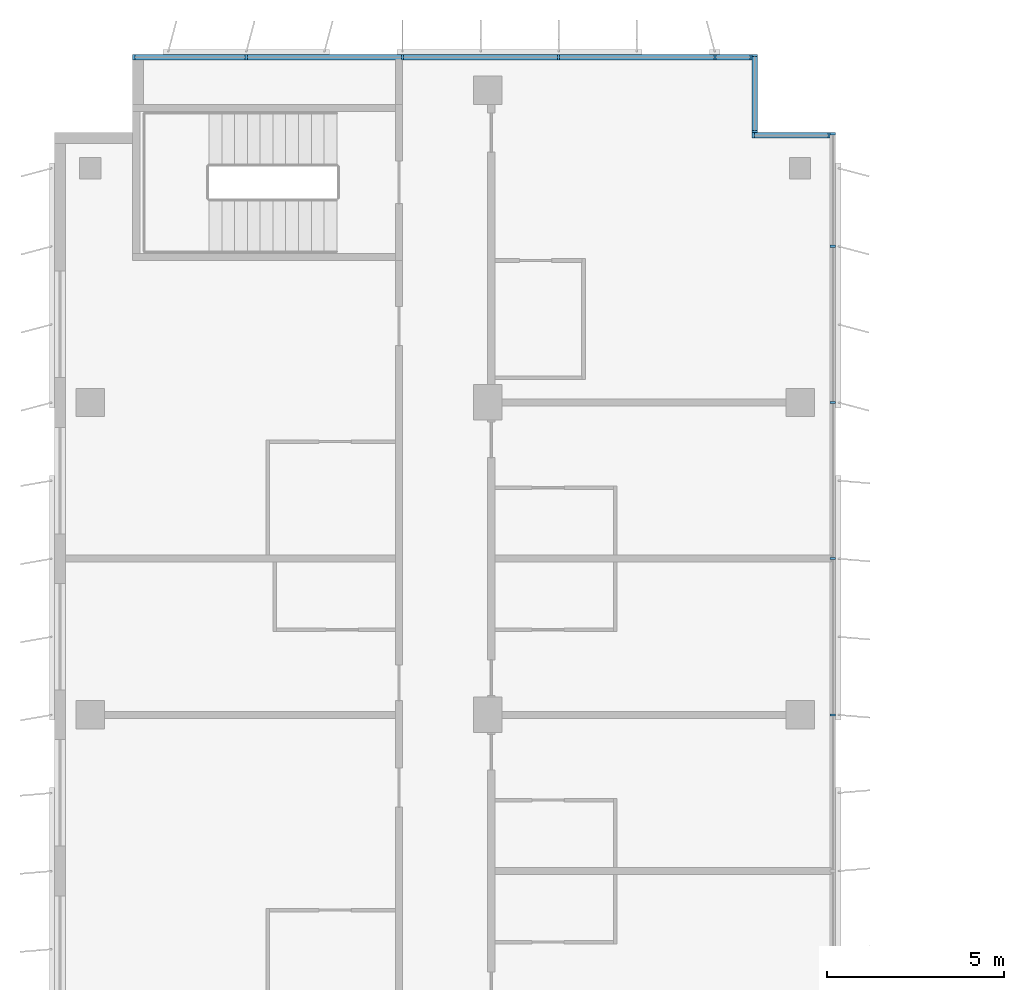
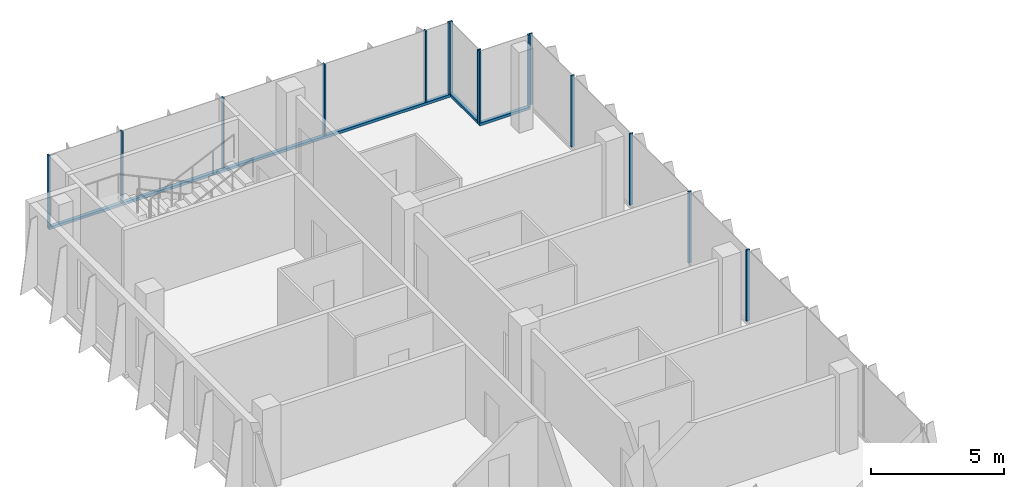
# One storey, part 6 of 17: 18 members, 4 elements without a shape of their own.
"""IFC4 building model written with IfcOpenShell, lengths in metres."""

import ifcopenshell
import ifcopenshell.guid

model = None  # the IFC model being written
_history = None  # IfcOwnerHistory: only IFC2X3 demands one
_inside = {}  # id of a spatial element -> (the spatial element, [elements in it])
_under = {}  # id of a project, library or spatial element -> (it, [spatial elements below it])
_declared = {}  # id of a project -> (the project, [libraries it declares])
_typed = {}  # id of a type object -> (the type object, [elements of that type])
_made_of = {}  # id of a material, layer set ... -> (it, [elements and type objects made of it])


def new_model(schema):
    """Start an empty IFC model of exactly this schema.

    Asked for "IFC4X3", IfcOpenShell would pick the latest addendum, in which some entities
    have other attributes; the version numbers below select the first issue.
    IFC2X3 requires an IfcOwnerHistory on every rooted entity: one is made here for all.
    """
    global model, _history
    if schema == "IFC4X3":
        model = ifcopenshell.file(schema_version=(4, 3, 0, 0))
    else:
        model = ifcopenshell.file(schema=schema)
    _inside.clear()
    _under.clear()
    _declared.clear()
    _typed.clear()
    _made_of.clear()
    _history = None
    if model.schema == "IFC2X3":
        org = make("IfcOrganization", Name="unknown")
        user = make(
            "IfcPersonAndOrganization",
            ThePerson=make("IfcPerson", FamilyName="unknown"),
            TheOrganization=org,
        )
        app = make(
            "IfcApplication",
            ApplicationDeveloper=org,
            Version="unknown",
            ApplicationFullName="unknown",
            ApplicationIdentifier="unknown",
        )
        _history = make(
            "IfcOwnerHistory",
            OwningUser=user,
            OwningApplication=app,
            ChangeAction="ADDED",
            CreationDate=0,
        )
    return model


def make(cls, **values):
    """One entity of the class cls with the attributes given. An attribute that is None is left unset."""
    return model.create_entity(
        cls, **{name: value for name, value in values.items() if value is not None}
    )


def rooted(cls, **values):
    """An entity with a GlobalId (a new one), such as an element, a storey or a relation."""
    return make(cls, GlobalId=ifcopenshell.guid.new(), OwnerHistory=_history, **values)


def si_unit(unit_type, name, prefix=None):
    """IfcSIUnit, for example si_unit("LENGTHUNIT", "METRE", prefix="MILLI")."""
    return make("IfcSIUnit", UnitType=unit_type, Prefix=prefix, Name=name)


def assignment(units):
    """IfcUnitAssignment: the units of a project."""
    return None if units is None else make("IfcUnitAssignment", Units=units)


def point(xyz):
    """IfcCartesianPoint."""
    return None if xyz is None else make("IfcCartesianPoint", Coordinates=xyz)


def direction(xyz):
    """IfcDirection."""
    return None if xyz is None else make("IfcDirection", DirectionRatios=xyz)


def frame(location, z_axis=None, x_axis=None):
    """IfcAxis2Placement3D, a coordinate frame: its origin and axes. An axis left out is left unset."""
    return make(
        "IfcAxis2Placement3D",
        Location=point(location),
        Axis=direction(z_axis),
        RefDirection=direction(x_axis),
    )


def frame_2d(location, x_axis=None):
    """IfcAxis2Placement2D, a coordinate frame in the plane: its origin and x axis."""
    return make(
        "IfcAxis2Placement2D", Location=point(location), RefDirection=direction(x_axis)
    )


def origin():
    """The frame at (0, 0, 0) with its axes left unset."""
    return frame((0.0, 0.0, 0.0))


def origin_2d():
    """The frame at (0, 0) in the plane with its x axis left unset."""
    return frame_2d((0.0, 0.0))


def place(relative_to, where):
    """IfcLocalPlacement: puts the frame where relative to a parent placement (None: the world)."""
    return make(
        "IfcLocalPlacement", PlacementRelTo=relative_to, RelativePlacement=where
    )


def context(
    kind, dimensions, precision=None, world=None, true_north=None, identifier=None
):
    """IfcGeometricRepresentationContext, for example the 3D "Model" context."""
    return make(
        "IfcGeometricRepresentationContext",
        ContextIdentifier=identifier,
        ContextType=kind,
        CoordinateSpaceDimension=dimensions,
        Precision=precision,
        WorldCoordinateSystem=world,
        TrueNorth=true_north,
    )


def subcontext(parent, identifier, kind, view, scale=None):
    """IfcGeometricRepresentationSubContext, for example "Body" below "Model"."""
    return make(
        "IfcGeometricRepresentationSubContext",
        ContextIdentifier=identifier,
        ContextType=kind,
        ParentContext=parent,
        TargetScale=scale,
        TargetView=view,
    )


def project(units=None, contexts=None):
    """IfcProject with its units and contexts."""
    return rooted(
        "IfcProject",
        Name="project",
        RepresentationContexts=contexts,
        UnitsInContext=assignment(units),
    )


def spatial(cls, under=None, at=None, **own):
    """A site, building, storey or space (cls), placed at a placement, below another one or the project."""
    s = rooted(cls, ObjectPlacement=at, **own)
    if under is not None:
        _under.setdefault(under.id(), (under, []))[1].append(s)
    return s


def profile(cls, at=None, kind="AREA", **sizes):
    """A parametric profile (cls). Its sizes go by their IFC names, for example OverallWidth=200.0."""
    return make(cls, ProfileType=kind, Position=at, **sizes)


def rectangle(**sizes):
    """IfcRectangleProfileDef."""
    return profile("IfcRectangleProfileDef", **sizes)


def extrude(swept, where, along, depth):
    """IfcExtrudedAreaSolid: the profile swept, set in the frame where, extruded along a direction by depth."""
    return make(
        "IfcExtrudedAreaSolid",
        SweptArea=swept,
        Position=where,
        ExtrudedDirection=direction(along),
        Depth=depth,
    )


def shape(context_of_items, identifier, shape_type, items):
    """IfcShapeRepresentation: the items that make up one representation, for example the "Body"."""
    return make(
        "IfcShapeRepresentation",
        ContextOfItems=context_of_items,
        RepresentationIdentifier=identifier,
        RepresentationType=shape_type,
        Items=items,
    )


def source(mapping_origin, context_of_items, identifier, shape_type, items):
    """IfcRepresentationMap: a shape defined once, which mapped items show again and again."""
    return make(
        "IfcRepresentationMap",
        MappingOrigin=mapping_origin,
        MappedRepresentation=shape(context_of_items, identifier, shape_type, items),
    )


def transform(
    local_origin,
    x_axis=None,
    y_axis=None,
    z_axis=None,
    scale=None,
    scale2=None,
    scale3=None,
    uniform=True,
):
    """IfcCartesianTransformationOperator3D, or its non-uniform kind. x_axis, y_axis, z_axis: its Axis1, 2, 3."""
    if uniform:
        return make(
            "IfcCartesianTransformationOperator3D",
            Axis1=direction(x_axis),
            Axis2=direction(y_axis),
            LocalOrigin=point(local_origin),
            Scale=scale,
            Axis3=direction(z_axis),
        )
    return make(
        "IfcCartesianTransformationOperator3DnonUniform",
        Axis1=direction(x_axis),
        Axis2=direction(y_axis),
        LocalOrigin=point(local_origin),
        Scale=scale,
        Axis3=direction(z_axis),
        Scale2=scale2,
        Scale3=scale3,
    )


def mapped(mapping_source, mapping_target):
    """IfcMappedItem: shows the shape of a source again, moved by a transform."""
    return make(
        "IfcMappedItem", MappingSource=mapping_source, MappingTarget=mapping_target
    )


def material(Name=None, Category=None):
    """IfcMaterial."""
    return make("IfcMaterial", Name=Name, Category=Category)


def material_profile(
    of_material, cross_section, Name=None, Category=None, Priority=None
):
    """IfcMaterialProfile: a cross section and its material."""
    return make(
        "IfcMaterialProfile",
        Name=Name,
        Material=of_material,
        Profile=cross_section,
        Priority=Priority,
        Category=Category,
    )


def profile_set(profiles, Name=None, composite=None):
    """IfcMaterialProfileSet."""
    return make(
        "IfcMaterialProfileSet",
        Name=Name,
        MaterialProfiles=profiles,
        CompositeProfile=composite,
    )


def made_of(thing, what):
    """Note that an element or type object is made of a material, layer set ...; save() writes the relation."""
    if what is not None:
        _made_of.setdefault(what.id(), (what, []))[1].append(thing)
    return thing


def type_object(cls, material=None, **own):
    """A type object (cls), such as IfcWallType, which elements share."""
    return made_of(rooted(cls, **own), material)


def element(
    cls,
    number,
    at=None,
    inside=None,
    cuts=None,
    type_object=None,
    material=None,
    context=None,
    identifier="Body",
    shape_type=None,
    held_by="IfcProductDefinitionShape",
    body=None,
    shapes=None,
    **own,
):
    """One element of the class cls, such as IfcWall. Its Tag is "e" and its number.

    at: its placement. inside: the storey or other place that contains it. cuts: it is an
    opening in that element (IfcRelVoidsElement). A single representation is given by context,
    identifier, shape_type and body (its items); several are given by shapes. held_by: the class
    of the entity that holds the representations. save() writes the other relations.
    """
    e = rooted(cls, Tag="e%d" % number, ObjectPlacement=at, **own)
    if body is not None:
        shapes = [shape(context, identifier, shape_type, body)]
    if shapes is not None:
        e.Representation = make(held_by, Representations=shapes)
    if inside is not None:
        _inside.setdefault(inside.id(), (inside, []))[1].append(e)
    if cuts is not None:
        rooted(
            "IfcRelVoidsElement", RelatingBuildingElement=cuts, RelatedOpeningElement=e
        )
    if type_object is not None:
        _typed.setdefault(type_object.id(), (type_object, []))[1].append(e)
    return made_of(e, material)


def aggregate(whole, parts):
    """IfcRelAggregates: a whole, such as a stair, and the parts it consists of."""
    return rooted("IfcRelAggregates", RelatingObject=whole, RelatedObjects=parts)


def save(model, path):
    """Write the relations noted so far, then the file.

    IfcRelAggregates (storeys below a building ...), IfcRelContainedInSpatialStructure (elements
    in a storey), IfcRelDefinesByType, IfcRelAssociatesMaterial and IfcRelDeclares: one each for
    every whole, place, type object, material and project.
    """
    for whole, parts in _under.values():
        aggregate(whole, parts)
    for where, things in _inside.values():
        rooted(
            "IfcRelContainedInSpatialStructure",
            RelatedElements=things,
            RelatingStructure=where,
        )
    for kind, things in _typed.values():
        rooted("IfcRelDefinesByType", RelatedObjects=things, RelatingType=kind)
    for what, things in _made_of.values():
        rooted("IfcRelAssociatesMaterial", RelatedObjects=things, RelatingMaterial=what)
    for by, libraries in _declared.values():
        rooted("IfcRelDeclares", RelatingContext=by, RelatedDefinitions=libraries)
    model.write(path)


model = new_model("IFC4")

# Units and contexts
model_context = context("Model", 3, precision=1e-05, world=origin(), true_north=direction((0.0, 1.0)))
body_context = subcontext(model_context, "Body", "Model", "MODEL_VIEW")
ifc_project = project(units=[si_unit("LENGTHUNIT", "METRE"), si_unit("AREAUNIT", "SQUARE_METRE"), si_unit("VOLUMEUNIT", "CUBIC_METRE"), si_unit("PLANEANGLEUNIT", "RADIAN"), si_unit("MASSUNIT", "GRAM", prefix="KILO")], contexts=[model_context])

# Site, building, storey
site_placement = place(None, origin())
site = spatial("IfcSite", under=ifc_project, at=site_placement, CompositionType="ELEMENT")
building_placement = place(site_placement, origin())
building = spatial("IfcBuilding", under=site, at=building_placement, Name="Kemantara Hotel Tower", CompositionType="ELEMENT")
storey_placement = place(building_placement, frame((0.0, 0.0, 222.800048828125)))
storey = spatial("IfcBuildingStorey", under=building, at=storey_placement, Name="L55", CompositionType="ELEMENT", Elevation=222.800048828125)

# Curtain wall, member
ifc_material_1 = material(Name="Low-E tinted double insulated glass 36 mm", Category="glass")
curtain_wall_type = type_object("IfcCurtainWallType", Name="TOWER CURTAIN WALL, FRONT FACES", PredefinedType="USERDEFINED", material=ifc_material_1)
curtain_wall_1_placement = place(storey_placement, origin())
curtain_wall_1 = element("IfcCurtainWall", 1, at=curtain_wall_1_placement, inside=storey, type_object=curtain_wall_type, Name="CW4 L55 T4-R02-1", ObjectType="TOWER CURTAIN WALL, FRONT FACES", PredefinedType="USERDEFINED")
ifc_material_2 = material(Name="Aluminium 6063-T6 bronze anodised", Category="aluminium")
ifc_material_profile_1 = material_profile(ifc_material_2, rectangle(XDim=0.14990234375, YDim=0.1201171875, at=origin_2d()), Name="TOWER CURTAIN WALL, FRONT FACES TRANSOM")
ifc_profile_set_1 = profile_set([ifc_material_profile_1], Name="Aluminium 6063-T6 bronze anodised")
member_type_1 = type_object("IfcMemberType", Name="TOWER CURTAIN WALL, FRONT FACES TRANSOM", PredefinedType="USERDEFINED", material=ifc_profile_set_1)
member_1_placement = place(storey_placement, frame((19.64990234375, 63.52490234375, 0.06005859375), z_axis=(-1.0, 0.0, 0.0), x_axis=(0.0, -1.0, 0.0)))
member_1 = element("IfcMember", 2, at=member_1_placement, type_object=member_type_1, Name="CW4 sill transom T4-R02-1", ObjectType="TRANSOM", PredefinedType="USERDEFINED", context=body_context, shape_type="SweptSolid", body=[
    extrude(rectangle(XDim=0.14990234375, YDim=0.1201171875, at=origin_2d()), origin(), (0.0, 0.0, 1.0), 17.449951171875),
])

curtain_wall_2_placement = place(storey_placement, origin())
curtain_wall_2 = element("IfcCurtainWall", 3, at=curtain_wall_2_placement, inside=storey, type_object=curtain_wall_type, Name="CW4 L55 T4-R00-1", ObjectType="TOWER CURTAIN WALL, FRONT FACES", PredefinedType="USERDEFINED")
member_2_placement = place(storey_placement, frame((21.85009765625, 61.324951171875, 0.06005859375), z_axis=(-1.0, 0.0, 0.0), x_axis=(0.0, -1.0, 0.0)))
member_2 = element("IfcMember", 4, at=member_2_placement, type_object=member_type_1, Name="CW4 sill transom T4-R00-1", ObjectType="TRANSOM", PredefinedType="USERDEFINED", context=body_context, shape_type="SweptSolid", body=[
    extrude(rectangle(XDim=0.14990234375, YDim=0.1201171875, at=origin_2d()), origin(), (0.0, 0.0, 1.0), 2.2001953125),
])

curtain_wall_3_placement = place(storey_placement, origin())
curtain_wall_3 = element("IfcCurtainWall", 5, at=curtain_wall_3_placement, inside=storey, type_object=curtain_wall_type, Name="CW4 L55 T4-R01-1", ObjectType="TOWER CURTAIN WALL, FRONT FACES", PredefinedType="USERDEFINED")
member_3_placement = place(storey_placement, frame((19.72509765625, 61.39990234375, 0.06005859375), z_axis=(0.0, 1.0, 0.0), x_axis=(-1.0, 0.0, 0.0)))
member_3 = element("IfcMember", 6, at=member_3_placement, type_object=member_type_1, Name="CW4 sill transom T4-R01-1", ObjectType="TRANSOM", PredefinedType="USERDEFINED", context=body_context, shape_type="SweptSolid", body=[
    extrude(rectangle(XDim=0.14990234375, YDim=0.1201171875, at=origin_2d()), origin(), (0.0, 0.0, 1.0), 2.2001953125),
])

# Member
ifc_material_profile_2 = material_profile(ifc_material_2, rectangle(XDim=0.14990234375, YDim=0.06005859375, at=origin_2d()), Name="TOWER CURTAIN WALL, FRONT FACES MULLION")
ifc_profile_set_2 = profile_set([ifc_material_profile_2], Name="Aluminium 6063-T6 bronze anodised")
member_type_2 = type_object("IfcMemberType", Name="TOWER CURTAIN WALL, FRONT FACES MULLION", PredefinedType="MULLION", material=ifc_profile_set_2)
shared_shape = source(origin(), body_context, "Body", "SweptSolid", [
    extrude(rectangle(XDim=0.14990234375, YDim=0.06005859375, at=origin_2d()), origin(), (0.0, 0.0, 1.0), 3.280029296875),
])
member_4_placement = place(storey_placement, frame((19.6201171875, 63.52490234375, 0.119873046875), z_axis=(0.0, 0.0, 1.0), x_axis=(0.0, -1.0, 0.0)))
member_4 = element("IfcMember", 7, at=member_4_placement, type_object=member_type_2, Name="CW4 mullion T4-R02-1.1", PredefinedType="MULLION", context=body_context, shape_type="MappedRepresentation", body=[
    mapped(shared_shape, transform((0.0, 0.0, 0.0))),
])

member_5_placement = place(storey_placement, frame((18.60009765625, 63.52490234375, 0.119873046875), z_axis=(0.0, 0.0, 1.0), x_axis=(0.0, -1.0, 0.0)))
member_5 = element("IfcMember", 8, at=member_5_placement, type_object=member_type_2, Name="CW4 mullion T4-R02-1.2", PredefinedType="MULLION", context=body_context, shape_type="MappedRepresentation", body=[
    mapped(shared_shape, transform((0.0, 0.0, 0.0))),
])

member_6_placement = place(storey_placement, frame((14.199951171875, 63.52490234375, 0.119873046875), z_axis=(0.0, 0.0, 1.0), x_axis=(0.0, -1.0, 0.0)))
member_6 = element("IfcMember", 9, at=member_6_placement, type_object=member_type_2, Name="CW4 mullion T4-R02-1.3", PredefinedType="MULLION", context=body_context, shape_type="MappedRepresentation", body=[
    mapped(shared_shape, transform((0.0, 0.0, 0.0))),
])

member_7_placement = place(storey_placement, frame((9.800048828125, 63.52490234375, 0.119873046875), z_axis=(0.0, 0.0, 1.0), x_axis=(0.0, -1.0, 0.0)))
member_7 = element("IfcMember", 10, at=member_7_placement, type_object=member_type_2, Name="CW4 mullion T4-R02-1.4", PredefinedType="MULLION", context=body_context, shape_type="MappedRepresentation", body=[
    mapped(shared_shape, transform((0.0, 0.0, 0.0))),
])

member_8_placement = place(storey_placement, frame((5.39990234375, 63.52490234375, 0.119873046875), z_axis=(0.0, 0.0, 1.0), x_axis=(0.0, -1.0, 0.0)))
member_8 = element("IfcMember", 11, at=member_8_placement, type_object=member_type_2, Name="CW4 mullion T4-R02-1.5", PredefinedType="MULLION", context=body_context, shape_type="MappedRepresentation", body=[
    mapped(shared_shape, transform((0.0, 0.0, 0.0))),
])

member_9_placement = place(storey_placement, frame((2.22998046875, 63.52490234375, 0.119873046875), z_axis=(0.0, 0.0, 1.0), x_axis=(0.0, -1.0, 0.0)))
member_9 = element("IfcMember", 12, at=member_9_placement, type_object=member_type_2, Name="CW4 mullion T4-R02-1.6", PredefinedType="MULLION", context=body_context, shape_type="MappedRepresentation", body=[
    mapped(shared_shape, transform((0.0, 0.0, 0.0))),
])

aggregate(curtain_wall_1, [member_1, member_4, member_5, member_6, member_7, member_8, member_9])

# Curtain wall, members
curtain_wall_4_placement = place(storey_placement, origin())
curtain_wall_4 = element("IfcCurtainWall", 13, at=curtain_wall_4_placement, inside=storey, type_object=curtain_wall_type, Name="CW4 L55 T4-R15-1", ObjectType="TOWER CURTAIN WALL, FRONT FACES", PredefinedType="USERDEFINED")
member_10_placement = place(storey_placement, frame((21.925048828125, 45.0, 0.119873046875), z_axis=(0.0, 0.0, 1.0), x_axis=(-1.0, 0.0, 0.0)))
member_10 = element("IfcMember", 14, at=member_10_placement, type_object=member_type_2, Name="CW4 mullion T4-R15-1.6", PredefinedType="MULLION", context=body_context, shape_type="MappedRepresentation", body=[
    mapped(shared_shape, transform((0.0, 0.0, 0.0))),
])
member_11_placement = place(storey_placement, frame((21.925048828125, 49.39990234375, 0.119873046875), z_axis=(0.0, 0.0, 1.0), x_axis=(-1.0, 0.0, 0.0)))
member_11 = element("IfcMember", 15, at=member_11_placement, type_object=member_type_2, Name="CW4 mullion T4-R15-1.7", PredefinedType="MULLION", context=body_context, shape_type="MappedRepresentation", body=[
    mapped(shared_shape, transform((0.0, 0.0, 0.0))),
])
member_12_placement = place(storey_placement, frame((21.925048828125, 53.800048828125, 0.119873046875), z_axis=(0.0, 0.0, 1.0), x_axis=(-1.0, 0.0, 0.0)))
member_12 = element("IfcMember", 16, at=member_12_placement, type_object=member_type_2, Name="CW4 mullion T4-R15-1.8", PredefinedType="MULLION", context=body_context, shape_type="MappedRepresentation", body=[
    mapped(shared_shape, transform((0.0, 0.0, 0.0))),
])
member_13_placement = place(storey_placement, frame((21.925048828125, 58.199951171875, 0.119873046875), z_axis=(0.0, 0.0, 1.0), x_axis=(-1.0, 0.0, 0.0)))
member_13 = element("IfcMember", 17, at=member_13_placement, type_object=member_type_2, Name="CW4 mullion T4-R15-1.9", PredefinedType="MULLION", context=body_context, shape_type="MappedRepresentation", body=[
    mapped(shared_shape, transform((0.0, 0.0, 0.0))),
])
member_14_placement = place(storey_placement, frame((21.925048828125, 61.3701171875, 0.119873046875), z_axis=(0.0, 0.0, 1.0), x_axis=(-1.0, 0.0, 0.0)))
member_14 = element("IfcMember", 18, at=member_14_placement, type_object=member_type_2, Name="CW4 mullion T4-R15-1.10", PredefinedType="MULLION", context=body_context, shape_type="MappedRepresentation", body=[
    mapped(shared_shape, transform((0.0, 0.0, 0.0))),
])
aggregate(curtain_wall_4, [member_10, member_11, member_12, member_13, member_14])

# Member
member_15_placement = place(storey_placement, frame((21.820068359375, 61.324951171875, 0.119873046875), z_axis=(0.0, 0.0, 1.0), x_axis=(0.0, -1.0, 0.0)))
member_15 = element("IfcMember", 19, at=member_15_placement, type_object=member_type_2, Name="CW4 mullion T4-R00-1.1", PredefinedType="MULLION", context=body_context, shape_type="MappedRepresentation", body=[
    mapped(shared_shape, transform((0.0, 0.0, 0.0))),
])

member_16_placement = place(storey_placement, frame((19.679931640625, 61.324951171875, 0.119873046875), z_axis=(0.0, 0.0, 1.0), x_axis=(0.0, -1.0, 0.0)))
member_16 = element("IfcMember", 20, at=member_16_placement, type_object=member_type_2, Name="CW4 mullion T4-R00-1.2", PredefinedType="MULLION", context=body_context, shape_type="MappedRepresentation", body=[
    mapped(shared_shape, transform((0.0, 0.0, 0.0))),
])

aggregate(curtain_wall_2, [member_2, member_15, member_16])

member_17_placement = place(storey_placement, frame((19.72509765625, 61.429931640625, 0.119873046875), z_axis=(0.0, 0.0, 1.0), x_axis=(-1.0, 0.0, 0.0)))
member_17 = element("IfcMember", 21, at=member_17_placement, type_object=member_type_2, Name="CW4 mullion T4-R01-1.1", PredefinedType="MULLION", context=body_context, shape_type="MappedRepresentation", body=[
    mapped(shared_shape, transform((0.0, 0.0, 0.0))),
])

member_18_placement = place(storey_placement, frame((19.72509765625, 63.570068359375, 0.119873046875), z_axis=(0.0, 0.0, 1.0), x_axis=(-1.0, 0.0, 0.0)))
member_18 = element("IfcMember", 22, at=member_18_placement, type_object=member_type_2, Name="CW4 mullion T4-R01-1.2", PredefinedType="MULLION", context=body_context, shape_type="MappedRepresentation", body=[
    mapped(shared_shape, transform((0.0, 0.0, 0.0))),
])

aggregate(curtain_wall_3, [member_3, member_17, member_18])

save(model, "model.ifc")
